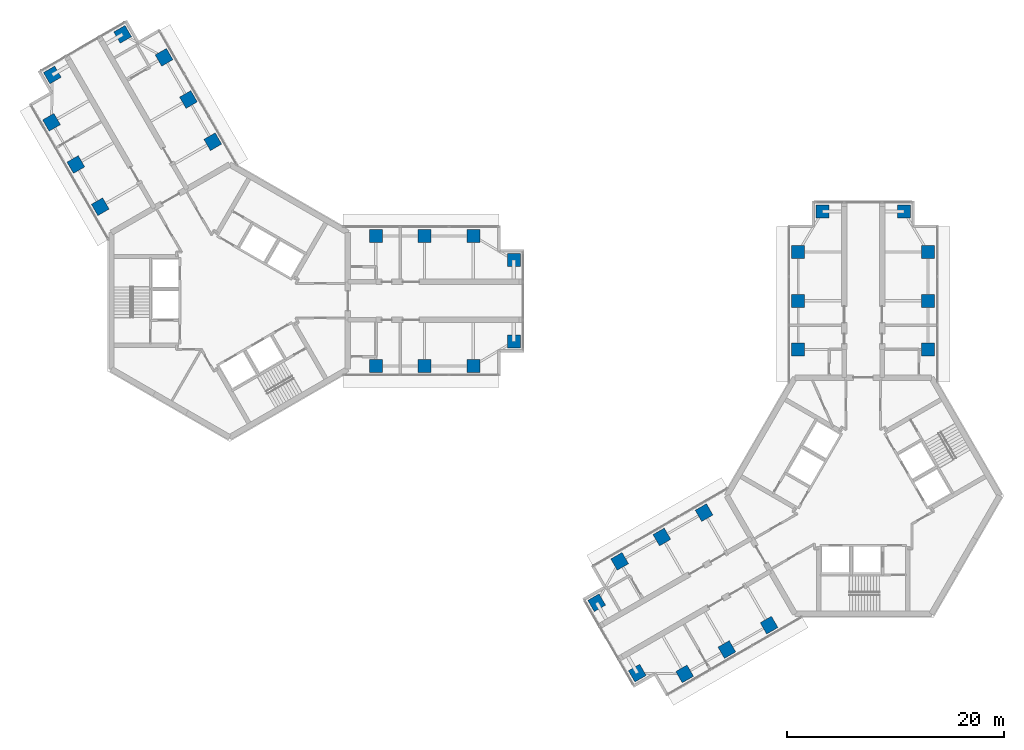
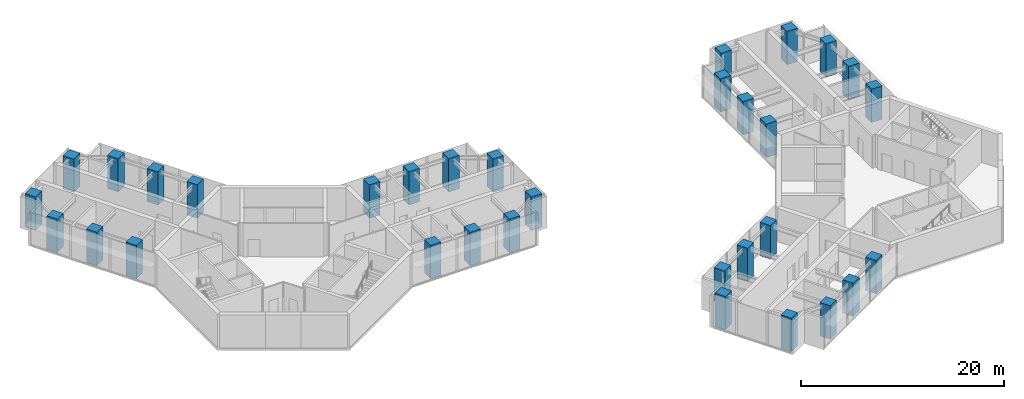
# One storey, part 1 of 17: 32 columns.
"""IFC4 building model written with IfcOpenShell, lengths in metres."""

import ifcopenshell
import ifcopenshell.guid

model = None  # the IFC model being written
_history = None  # IfcOwnerHistory: only IFC2X3 demands one
_inside = {}  # id of a spatial element -> (the spatial element, [elements in it])
_under = {}  # id of a project, library or spatial element -> (it, [spatial elements below it])
_declared = {}  # id of a project -> (the project, [libraries it declares])
_typed = {}  # id of a type object -> (the type object, [elements of that type])
_made_of = {}  # id of a material, layer set ... -> (it, [elements and type objects made of it])


def new_model(schema):
    """Start an empty IFC model of exactly this schema.

    Asked for "IFC4X3", IfcOpenShell would pick the latest addendum, in which some entities
    have other attributes; the version numbers below select the first issue.
    IFC2X3 requires an IfcOwnerHistory on every rooted entity: one is made here for all.
    """
    global model, _history
    if schema == "IFC4X3":
        model = ifcopenshell.file(schema_version=(4, 3, 0, 0))
    else:
        model = ifcopenshell.file(schema=schema)
    _inside.clear()
    _under.clear()
    _declared.clear()
    _typed.clear()
    _made_of.clear()
    _history = None
    if model.schema == "IFC2X3":
        org = make("IfcOrganization", Name="unknown")
        user = make(
            "IfcPersonAndOrganization",
            ThePerson=make("IfcPerson", FamilyName="unknown"),
            TheOrganization=org,
        )
        app = make(
            "IfcApplication",
            ApplicationDeveloper=org,
            Version="unknown",
            ApplicationFullName="unknown",
            ApplicationIdentifier="unknown",
        )
        _history = make(
            "IfcOwnerHistory",
            OwningUser=user,
            OwningApplication=app,
            ChangeAction="ADDED",
            CreationDate=0,
        )
    return model


def make(cls, **values):
    """One entity of the class cls with the attributes given. An attribute that is None is left unset."""
    return model.create_entity(
        cls, **{name: value for name, value in values.items() if value is not None}
    )


def rooted(cls, **values):
    """An entity with a GlobalId (a new one), such as an element, a storey or a relation."""
    return make(cls, GlobalId=ifcopenshell.guid.new(), OwnerHistory=_history, **values)


def si_unit(unit_type, name, prefix=None):
    """IfcSIUnit, for example si_unit("LENGTHUNIT", "METRE", prefix="MILLI")."""
    return make("IfcSIUnit", UnitType=unit_type, Prefix=prefix, Name=name)


def assignment(units):
    """IfcUnitAssignment: the units of a project."""
    return None if units is None else make("IfcUnitAssignment", Units=units)


def point(xyz):
    """IfcCartesianPoint."""
    return None if xyz is None else make("IfcCartesianPoint", Coordinates=xyz)


def direction(xyz):
    """IfcDirection."""
    return None if xyz is None else make("IfcDirection", DirectionRatios=xyz)


def frame(location, z_axis=None, x_axis=None):
    """IfcAxis2Placement3D, a coordinate frame: its origin and axes. An axis left out is left unset."""
    return make(
        "IfcAxis2Placement3D",
        Location=point(location),
        Axis=direction(z_axis),
        RefDirection=direction(x_axis),
    )


def frame_2d(location, x_axis=None):
    """IfcAxis2Placement2D, a coordinate frame in the plane: its origin and x axis."""
    return make(
        "IfcAxis2Placement2D", Location=point(location), RefDirection=direction(x_axis)
    )


def origin():
    """The frame at (0, 0, 0) with its axes left unset."""
    return frame((0.0, 0.0, 0.0))


def origin_2d():
    """The frame at (0, 0) in the plane with its x axis left unset."""
    return frame_2d((0.0, 0.0))


def place(relative_to, where):
    """IfcLocalPlacement: puts the frame where relative to a parent placement (None: the world)."""
    return make(
        "IfcLocalPlacement", PlacementRelTo=relative_to, RelativePlacement=where
    )


def context(
    kind, dimensions, precision=None, world=None, true_north=None, identifier=None
):
    """IfcGeometricRepresentationContext, for example the 3D "Model" context."""
    return make(
        "IfcGeometricRepresentationContext",
        ContextIdentifier=identifier,
        ContextType=kind,
        CoordinateSpaceDimension=dimensions,
        Precision=precision,
        WorldCoordinateSystem=world,
        TrueNorth=true_north,
    )


def subcontext(parent, identifier, kind, view, scale=None):
    """IfcGeometricRepresentationSubContext, for example "Body" below "Model"."""
    return make(
        "IfcGeometricRepresentationSubContext",
        ContextIdentifier=identifier,
        ContextType=kind,
        ParentContext=parent,
        TargetScale=scale,
        TargetView=view,
    )


def project(units=None, contexts=None):
    """IfcProject with its units and contexts."""
    return rooted(
        "IfcProject",
        Name="project",
        RepresentationContexts=contexts,
        UnitsInContext=assignment(units),
    )


def spatial(cls, under=None, at=None, **own):
    """A site, building, storey or space (cls), placed at a placement, below another one or the project."""
    s = rooted(cls, ObjectPlacement=at, **own)
    if under is not None:
        _under.setdefault(under.id(), (under, []))[1].append(s)
    return s


def profile(cls, at=None, kind="AREA", **sizes):
    """A parametric profile (cls). Its sizes go by their IFC names, for example OverallWidth=200.0."""
    return make(cls, ProfileType=kind, Position=at, **sizes)


def rectangle(**sizes):
    """IfcRectangleProfileDef."""
    return profile("IfcRectangleProfileDef", **sizes)


def extrude(swept, where, along, depth):
    """IfcExtrudedAreaSolid: the profile swept, set in the frame where, extruded along a direction by depth."""
    return make(
        "IfcExtrudedAreaSolid",
        SweptArea=swept,
        Position=where,
        ExtrudedDirection=direction(along),
        Depth=depth,
    )


def shape(context_of_items, identifier, shape_type, items):
    """IfcShapeRepresentation: the items that make up one representation, for example the "Body"."""
    return make(
        "IfcShapeRepresentation",
        ContextOfItems=context_of_items,
        RepresentationIdentifier=identifier,
        RepresentationType=shape_type,
        Items=items,
    )


def material(Name=None, Category=None):
    """IfcMaterial."""
    return make("IfcMaterial", Name=Name, Category=Category)


def material_profile(
    of_material, cross_section, Name=None, Category=None, Priority=None
):
    """IfcMaterialProfile: a cross section and its material."""
    return make(
        "IfcMaterialProfile",
        Name=Name,
        Material=of_material,
        Profile=cross_section,
        Priority=Priority,
        Category=Category,
    )


def profile_set(profiles, Name=None, composite=None):
    """IfcMaterialProfileSet."""
    return make(
        "IfcMaterialProfileSet",
        Name=Name,
        MaterialProfiles=profiles,
        CompositeProfile=composite,
    )


def made_of(thing, what):
    """Note that an element or type object is made of a material, layer set ...; save() writes the relation."""
    if what is not None:
        _made_of.setdefault(what.id(), (what, []))[1].append(thing)
    return thing


def type_object(cls, material=None, **own):
    """A type object (cls), such as IfcWallType, which elements share."""
    return made_of(rooted(cls, **own), material)


def element(
    cls,
    number,
    at=None,
    inside=None,
    cuts=None,
    type_object=None,
    material=None,
    context=None,
    identifier="Body",
    shape_type=None,
    held_by="IfcProductDefinitionShape",
    body=None,
    shapes=None,
    **own,
):
    """One element of the class cls, such as IfcWall. Its Tag is "e" and its number.

    at: its placement. inside: the storey or other place that contains it. cuts: it is an
    opening in that element (IfcRelVoidsElement). A single representation is given by context,
    identifier, shape_type and body (its items); several are given by shapes. held_by: the class
    of the entity that holds the representations. save() writes the other relations.
    """
    e = rooted(cls, Tag="e%d" % number, ObjectPlacement=at, **own)
    if body is not None:
        shapes = [shape(context, identifier, shape_type, body)]
    if shapes is not None:
        e.Representation = make(held_by, Representations=shapes)
    if inside is not None:
        _inside.setdefault(inside.id(), (inside, []))[1].append(e)
    if cuts is not None:
        rooted(
            "IfcRelVoidsElement", RelatingBuildingElement=cuts, RelatedOpeningElement=e
        )
    if type_object is not None:
        _typed.setdefault(type_object.id(), (type_object, []))[1].append(e)
    return made_of(e, material)


def aggregate(whole, parts):
    """IfcRelAggregates: a whole, such as a stair, and the parts it consists of."""
    return rooted("IfcRelAggregates", RelatingObject=whole, RelatedObjects=parts)


def save(model, path):
    """Write the relations noted so far, then the file.

    IfcRelAggregates (storeys below a building ...), IfcRelContainedInSpatialStructure (elements
    in a storey), IfcRelDefinesByType, IfcRelAssociatesMaterial and IfcRelDeclares: one each for
    every whole, place, type object, material and project.
    """
    for whole, parts in _under.values():
        aggregate(whole, parts)
    for where, things in _inside.values():
        rooted(
            "IfcRelContainedInSpatialStructure",
            RelatedElements=things,
            RelatingStructure=where,
        )
    for kind, things in _typed.values():
        rooted("IfcRelDefinesByType", RelatedObjects=things, RelatingType=kind)
    for what, things in _made_of.values():
        rooted("IfcRelAssociatesMaterial", RelatedObjects=things, RelatingMaterial=what)
    for by, libraries in _declared.values():
        rooted("IfcRelDeclares", RelatingContext=by, RelatedDefinitions=libraries)
    model.write(path)


model = new_model("IFC4")

# Units and contexts
model_context = context("Model", 3, precision=1e-05, world=origin(), true_north=direction((0.0, 1.0)))
body_context = subcontext(model_context, "Body", "Model", "MODEL_VIEW")
ifc_project = project(units=[si_unit("LENGTHUNIT", "METRE"), si_unit("AREAUNIT", "SQUARE_METRE"), si_unit("VOLUMEUNIT", "CUBIC_METRE"), si_unit("PLANEANGLEUNIT", "RADIAN"), si_unit("MASSUNIT", "GRAM", prefix="KILO")], contexts=[model_context])

# Site, building, storey
site_placement = place(None, origin())
site = spatial("IfcSite", under=ifc_project, at=site_placement, CompositionType="ELEMENT")
building_placement = place(site_placement, origin())
building = spatial("IfcBuilding", under=site, at=building_placement, Name="Upepo Twin Towers", CompositionType="ELEMENT")
storey_placement = place(building_placement, frame((0.0, 0.0, 174.5)))
storey = spatial("IfcBuildingStorey", under=building, at=storey_placement, Name="L42", CompositionType="ELEMENT", Elevation=174.5)

# Columns
ifc_material = material(Name="Concrete C60/75", Category="concrete")
ifc_material_profile = material_profile(ifc_material, rectangle(XDim=1.199951171875, YDim=1.199951171875, at=origin_2d()), Name="RC 1200x1200")
ifc_profile_set = profile_set([ifc_material_profile], Name="Concrete C60/75")
column_type = type_object("IfcColumnType", Name="Tower column RC 1200x1200", PredefinedType="COLUMN", material=ifc_profile_set)
for number, where, z_axis, x_axis, name in (
    (1, (13.5, 6.0, 0.0), (0.0, 0.0, 1.0), (1.0, 0.0, 0.0), "T1 column AL135"),
    (2, (13.5, -6.0, 0.0), (0.0, 0.0, 1.0), (1.0, 0.0, 0.0), "T1 column AR135"),
    (3, (18.0, 6.0, 0.0), (0.0, 0.0, 1.0), (1.0, 0.0, 0.0), "T1 column AL180"),
    (4, (18.0, -6.0, 0.0), (0.0, 0.0, 1.0), (1.0, 0.0, 0.0), "T1 column AR180"),
    (5, (22.5, 6.0, 0.0), (0.0, 0.0, 1.0), (1.0, 0.0, 0.0), "T1 column AL225"),
    (6, (22.5, -6.0, 0.0), (0.0, 0.0, 1.0), (1.0, 0.0, 0.0), "T1 column AR225"),
    (7, (26.25, 3.75, 0.0), (0.0, 0.0, 1.0), (1.0, 0.0, 0.0), "T1 column ALN"),
    (8, (26.25, -3.75, 0.0), (0.0, 0.0, 1.0), (1.0, 0.0, 0.0), "T1 column ARN"),
    (9, (-11.946044921875, 8.69140625, 0.0), (0.0, 0.0, 1.0), (0.866025403784, 0.5, 0.0), "T1 column BL135"),
    (10, (-1.553955078125, 14.69140625, 0.0), (0.0, 0.0, 1.0), (0.866025403784, 0.5, 0.0), "T1 column BR135"),
    (11, (-14.196044921875, 12.58837890625, 0.0), (0.0, 0.0, 1.0), (0.866025403784, 0.5, 0.0), "T1 column BL180"),
    (12, (-3.803955078125, 18.58837890625, 0.0), (0.0, 0.0, 1.0), (0.866025403784, 0.5, 0.0), "T1 column BR180"),
    (13, (-16.446044921875, 16.485595703125, 0.0), (0.0, 0.0, 1.0), (0.866025403784, 0.5, 0.0), "T1 column BL225"),
    (14, (-6.053955078125, 22.485595703125, 0.0), (0.0, 0.0, 1.0), (0.866025403784, 0.5, 0.0), "T1 column BR225"),
    (15, (-16.37255859375, 20.858154296875, 0.0), (0.0, 0.0, 1.0), (0.866025403784, 0.5, 0.0), "T1 column BLN"),
    (16, (-9.87744140625, 24.608154296875, 0.0), (0.0, 0.0, 1.0), (0.866025403784, 0.5, 0.0), "T1 column BRN"),
    (17, (52.5, -4.5, 0.0), (0.0, 0.0, 1.0), (1.0, 0.0, 0.0), "T2 column AL135"),
    (18, (64.5, -4.5, 0.0), (0.0, 0.0, 1.0), (1.0, 0.0, 0.0), "T2 column AR135"),
    (19, (52.5, 0.0, 0.0), (0.0, 0.0, 1.0), (1.0, 0.0, 0.0), "T2 column AL180"),
    (20, (64.5, 0.0, 0.0), (0.0, 0.0, 1.0), (1.0, 0.0, 0.0), "T2 column AR180"),
    (21, (52.5, 4.5, 0.0), (0.0, 0.0, 1.0), (1.0, 0.0, 0.0), "T2 column AL225"),
    (22, (64.5, 4.5, 0.0), (0.0, 0.0, 1.0), (1.0, 0.0, 0.0), "T2 column AR225"),
    (23, (54.75, 8.25, 0.0), (0.0, 0.0, 1.0), (1.0, 0.0, 0.0), "T2 column ALN"),
    (24, (62.25, 8.25, 0.0), (0.0, 0.0, 1.0), (1.0, 0.0, 0.0), "T2 column ARN"),
    (25, (49.80859375, -29.946044921875, 0.0), (0.0, 0.0, 1.0), (0.866025403784, 0.5, 0.0), "T2 column BL135"),
    (26, (43.80859375, -19.553955078125, 0.0), (0.0, 0.0, 1.0), (0.866025403784, 0.5, 0.0), "T2 column BR135"),
    (27, (45.91162109375, -32.196044921875, 0.0), (0.0, 0.0, 1.0), (0.866025403784, 0.5, 0.0), "T2 column BL180"),
    (28, (39.91162109375, -21.803955078125, 0.0), (0.0, 0.0, 1.0), (0.866025403784, 0.5, 0.0), "T2 column BR180"),
    (29, (42.014404296875, -34.446044921875, 0.0), (0.0, 0.0, 1.0), (0.866025403784, 0.5, 0.0), "T2 column BL225"),
    (30, (36.014404296875, -24.053955078125, 0.0), (0.0, 0.0, 1.0), (0.866025403784, 0.5, 0.0), "T2 column BR225"),
    (31, (37.641845703125, -34.37255859375, 0.0), (0.0, 0.0, 1.0), (0.866025403784, 0.5, 0.0), "T2 column BLN"),
    (32, (33.891845703125, -27.87744140625, 0.0), (0.0, 0.0, 1.0), (0.866025403784, 0.5, 0.0), "T2 column BRN"),
):
    element("IfcColumn", number, at=place(storey_placement, frame(where, z_axis=z_axis, x_axis=x_axis)), inside=storey, type_object=column_type, Name=name, PredefinedType="COLUMN", context=body_context, shape_type="SweptSolid", body=[
        extrude(rectangle(XDim=1.199951171875, YDim=1.199951171875, at=origin_2d()), origin(), (0.0, 0.0, 1.0), 4.0),
    ])

save(model, "model.ifc")
